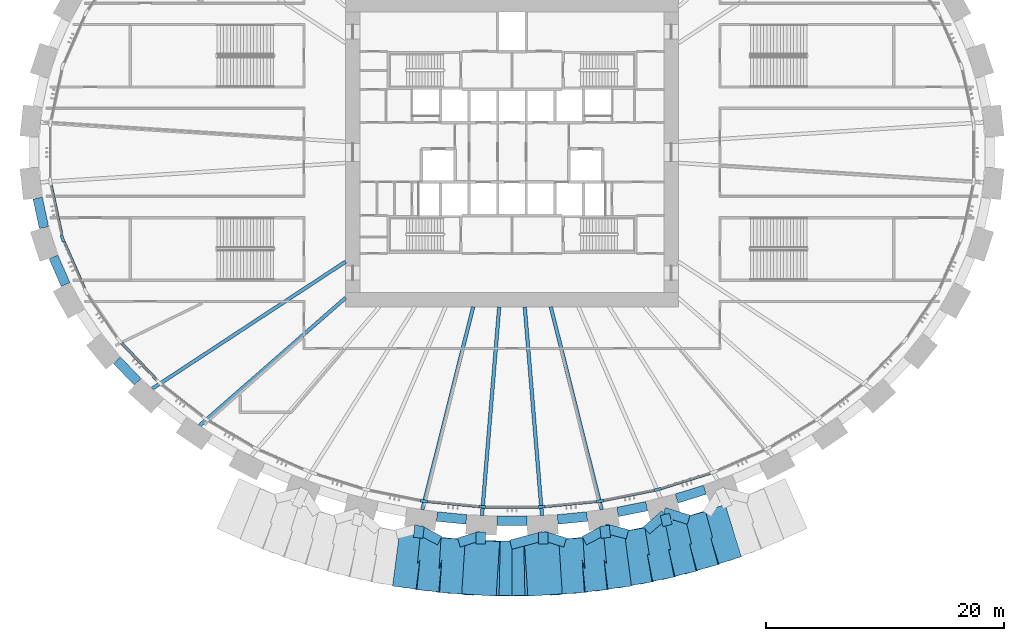
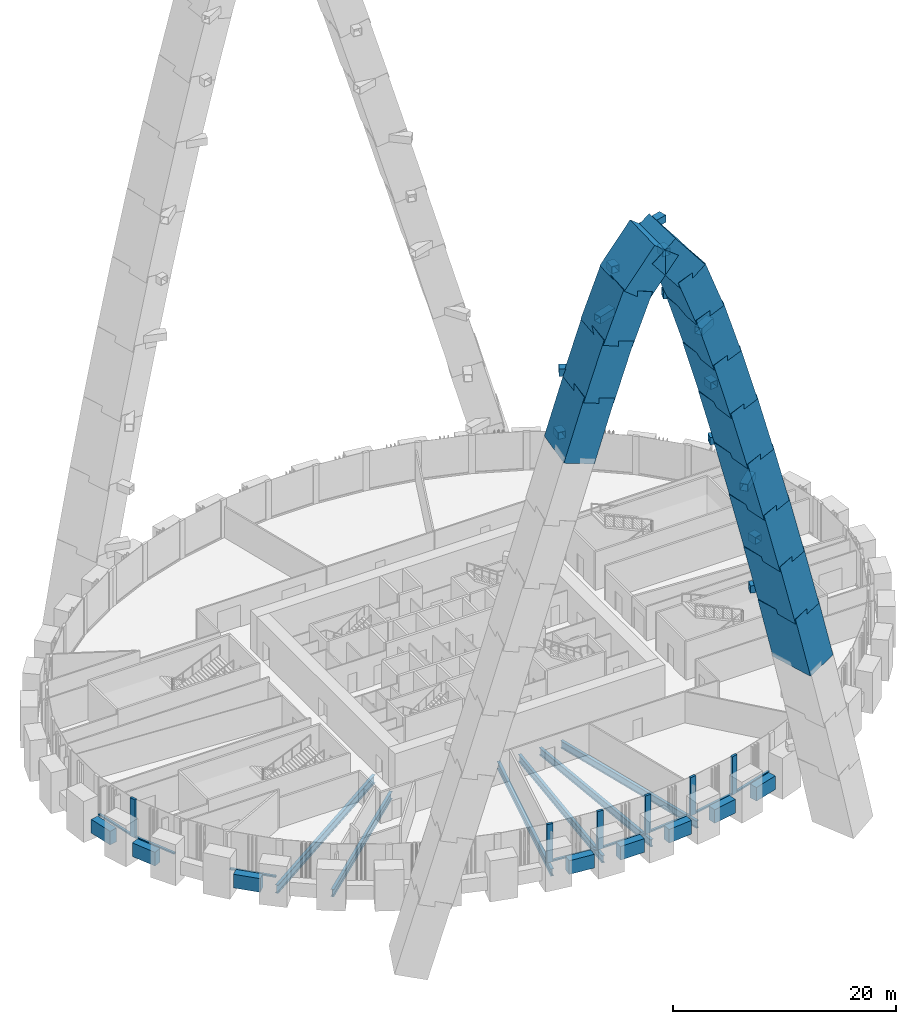
# One storey, part 2 of 23: 40 members, 14 beams, 2 elements without a shape of their own.
"""IFC4 building model written with IfcOpenShell, lengths in metres."""

from ifc_helpers import new_model, si_unit, direction, frame, origin, origin_2d, place, context, subcontext, project, spatial, rectangle, hollow_rectangle, i_section, extrude, source, transform, mapped, material, material_profile, profile_set, type_object, element, aggregate, save


model = new_model("IFC4")

# Units and contexts
model_context = context("Model", 3, precision=1e-05, world=origin(), true_north=direction((0.0, 1.0)))
body_context = subcontext(model_context, "Body", "Model", "MODEL_VIEW")
ifc_project = project(units=[si_unit("LENGTHUNIT", "METRE"), si_unit("AREAUNIT", "SQUARE_METRE"), si_unit("VOLUMEUNIT", "CUBIC_METRE"), si_unit("PLANEANGLEUNIT", "RADIAN"), si_unit("MASSUNIT", "GRAM", prefix="KILO")], contexts=[model_context])

# Site, building, storey
site_placement = place(None, origin())
site = spatial("IfcSite", under=ifc_project, at=site_placement, CompositionType="ELEMENT")
building_placement = place(site_placement, origin())
building = spatial("IfcBuilding", under=site, at=building_placement, Name="Embergate Tower", CompositionType="ELEMENT")
storey_placement = place(building_placement, frame((0.0, 0.0, 29.0)))
storey = spatial("IfcBuildingStorey", under=building, at=storey_placement, Name="L03", CompositionType="ELEMENT", Elevation=29.0)

# Beams
ifc_material_1 = material(Name="Concrete C70", Category="concrete")
ifc_material_profile_1 = material_profile(ifc_material_1, rectangle(XDim=0.800048828125, YDim=1.5, at=origin_2d()), Name="RC 800x1500")
ifc_profile_set_1 = profile_set([ifc_material_profile_1], Name="Concrete C70")
beam_type_1 = type_object("IfcBeamType", Name="Spandrel beam RC 800x1500 C70", PredefinedType="BEAM", material=ifc_profile_set_1)
shared_shape_1 = source(origin(), body_context, "Body", "SweptSolid", [
    extrude(rectangle(XDim=0.800048828125, YDim=1.5, at=origin_2d()), origin(), (0.0, 0.0, 1.0), 2.53369140625),
])
beam_1_placement = place(storey_placement, frame((-39.905029296875, -3.85302734375, 0.0), z_axis=(0.210344985956, -0.977627222863, 0.0), x_axis=(0.977627222863, 0.210344985956, 0.0)))
element("IfcBeam", 1, at=beam_1_placement, inside=storey, type_object=beam_type_1, Name="SPN-L03-22", PredefinedType="BEAM", context=body_context, shape_type="MappedRepresentation", body=[
    mapped(shared_shape_1, transform((0.0, 0.0, 0.0))),
])
shared_shape_2 = source(origin(), body_context, "Body", "SweptSolid", [
    extrude(rectangle(XDim=0.800048828125, YDim=1.5, at=origin_2d()), origin(), (0.0, 0.0, 1.0), 2.530029296875),
])
beam_2_placement = place(storey_placement, frame((-38.572998046875, -8.803955078125, 0.0), z_axis=(0.401603284719, -0.91581373745, 0.0), x_axis=(0.91581373745, 0.401603284719, 0.0)))
element("IfcBeam", 2, at=beam_2_placement, inside=storey, type_object=beam_type_1, Name="SPN-L03-23", PredefinedType="BEAM", context=body_context, shape_type="MappedRepresentation", body=[
    mapped(shared_shape_2, transform((0.0, 0.0, 0.0))),
])
shared_shape_3 = source(origin(), body_context, "Body", "SweptSolid", [
    extrude(rectangle(XDim=0.800048828125, YDim=1.5, at=origin_2d()), origin(), (0.0, 0.0, 1.0), 2.513671875),
])
beam_3_placement = place(storey_placement, frame((-33.23095703125, -17.492919921875, 0.0), z_axis=(0.690154595943, -0.723661960931, 0.0), x_axis=(0.723661960931, 0.690154595943, 0.0)))
element("IfcBeam", 3, at=beam_3_placement, inside=storey, type_object=beam_type_1, Name="SPN-L03-25", PredefinedType="BEAM", context=body_context, shape_type="MappedRepresentation", body=[
    mapped(shared_shape_3, transform((0.0, 0.0, 0.0))),
])
shared_shape_4 = source(origin(), body_context, "Body", "SweptSolid", [
    extrude(rectangle(XDim=0.800048828125, YDim=1.5, at=origin_2d()), origin(), (0.0, 0.0, 1.0), 2.49169921875),
])
beam_4_placement = place(storey_placement, frame((13.85009765625, -29.125, 0.0), z_axis=(0.954758519321, 0.297382194801, 0.0), x_axis=(-0.297382194801, 0.954758519321, 0.0)))
element("IfcBeam", 4, at=beam_4_placement, inside=storey, type_object=beam_type_1, Name="SPN-L03-35", PredefinedType="BEAM", context=body_context, shape_type="MappedRepresentation", body=[
    mapped(shared_shape_4, transform((0.0, 0.0, 0.0))),
])
shared_shape_5 = source(origin(), body_context, "Body", "SweptSolid", [
    extrude(rectangle(XDim=0.800048828125, YDim=1.5, at=origin_2d()), origin(), (0.0, 0.0, 1.0), 2.49072265625),
])
beam_5_placement = place(storey_placement, frame((8.888916015625, -30.257080078125, 0.0), z_axis=(0.980535407691, 0.196342339459, 0.0), x_axis=(-0.196342339459, 0.980535407691, 0.0)))
element("IfcBeam", 5, at=beam_5_placement, inside=storey, type_object=beam_type_1, Name="SPN-L03-34", PredefinedType="BEAM", context=body_context, shape_type="MappedRepresentation", body=[
    mapped(shared_shape_5, transform((0.0, 0.0, 0.0))),
])
shared_shape_6 = source(origin(), body_context, "Body", "SweptSolid", [
    extrude(rectangle(XDim=0.800048828125, YDim=1.5, at=origin_2d()), origin(), (0.0, 0.0, 1.0), 2.489013671875),
])
for number, where, z_axis, x_axis, name in (
    (6, (-6.318115234375, -30.639892578125, 0.0), (0.995177967328, -0.098085744858, 0.0), (0.098085744858, 0.995177967328, 0.0), "SPN-L03-31"),
    (7, (3.841064453125, -30.884033203125, 0.0), (0.995177967328, 0.098085744858, 0.0), (-0.098085744858, 0.995177967328, 0.0), "SPN-L03-33"),
):
    element("IfcBeam", number, at=place(storey_placement, frame(where, z_axis=z_axis, x_axis=x_axis)), inside=storey, type_object=beam_type_1, Name=name, PredefinedType="BEAM", context=body_context, shape_type="MappedRepresentation", body=[
        mapped(shared_shape_6, transform((0.0, 0.0, 0.0))),
    ])
shared_shape_7 = source(origin(), body_context, "Body", "SweptSolid", [
    extrude(rectangle(XDim=0.800048828125, YDim=1.5, at=origin_2d()), origin(), (0.0, 0.0, 1.0), 2.48779296875),
])
beam_6_placement = place(storey_placement, frame((-1.243896484375, -31.010986328125, 0.0), z_axis=(1.0, 0.0, 0.0), x_axis=(0.0, 1.0, 0.0)))
element("IfcBeam", 8, at=beam_6_placement, inside=storey, type_object=beam_type_1, Name="SPN-L03-32", PredefinedType="BEAM", context=body_context, shape_type="MappedRepresentation", body=[
    mapped(shared_shape_7, transform((0.0, 0.0, 0.0))),
])
ifc_material_2 = material(Name="Steel Q355B", Category="steel")
ifc_material_profile_2 = material_profile(ifc_material_2, i_section(OverallWidth=0.300048828125, OverallDepth=0.89990234375, WebThickness=0.01611328125, FlangeThickness=0.028076171875, FilletRadius=0.028076171875, at=origin_2d()), Name="HN 900x300x16x28")
ifc_profile_set_2 = profile_set([ifc_material_profile_2], Name="Steel Q355 grade B")
beam_type_2 = type_object("IfcBeamType", Name="Radial girder HN 900x300x16x28", PredefinedType="BEAM", material=ifc_profile_set_2)
shared_shape_8 = source(origin(), body_context, "Body", "SweptSolid", [
    extrude(i_section(OverallWidth=0.300048828125, OverallDepth=0.89990234375, WebThickness=0.01611328125, FlangeThickness=0.028076171875, FilletRadius=0.028076171875, at=origin_2d()), origin(), (0.0, 0.0, 1.0), 19.456787109375),
])
beam_7_placement = place(storey_placement, frame((-30.260986328125, -19.883056640625, -0.75), z_axis=(0.835745789204, 0.549116541208, 0.0), x_axis=(-0.549116541208, 0.835745789204, 0.0)))
element("IfcBeam", 9, at=beam_7_placement, inside=storey, type_object=beam_type_2, Name="GIR-L03-26", PredefinedType="BEAM", context=body_context, shape_type="MappedRepresentation", body=[
    mapped(shared_shape_8, transform((0.0, 0.0, 0.0))),
])
ifc_material_profile_3 = material_profile(ifc_material_2, i_section(OverallWidth=0.300048828125, OverallDepth=0.800048828125, WebThickness=0.013916015625, FlangeThickness=0.02587890625, FilletRadius=0.028076171875, at=origin_2d()), Name="HN 800x300x14x26")
ifc_profile_set_3 = profile_set([ifc_material_profile_3], Name="Steel Q355 grade B")
beam_type_3 = type_object("IfcBeamType", Name="Radial girder HN 800x300x14x26", PredefinedType="BEAM", material=ifc_profile_set_3)
shared_shape_9 = source(origin(), body_context, "Body", "SweptSolid", [
    extrude(i_section(OverallWidth=0.300048828125, OverallDepth=0.800048828125, WebThickness=0.013916015625, FlangeThickness=0.02587890625, FilletRadius=0.028076171875, at=origin_2d()), origin(), (0.0, 0.0, 1.0), 16.318359375),
])
beam_8_placement = place(storey_placement, frame((-26.283935546875, -22.986083984375, -0.699951171875), z_axis=(0.752766655838, 0.658287446226, 0.0), x_axis=(-0.658287446226, 0.752766655838, 0.0)))
element("IfcBeam", 10, at=beam_8_placement, inside=storey, type_object=beam_type_3, Name="GIR-L03-27", PredefinedType="BEAM", context=body_context, shape_type="MappedRepresentation", body=[
    mapped(shared_shape_9, transform((0.0, 0.0, 0.0))),
])
shared_shape_10 = source(origin(), body_context, "Body", "SweptSolid", [
    extrude(i_section(OverallWidth=0.300048828125, OverallDepth=0.800048828125, WebThickness=0.013916015625, FlangeThickness=0.02587890625, FilletRadius=0.028076171875, at=origin_2d()), origin(), (0.0, 0.0, 1.0), 17.58740234375),
])
for number, where, z_axis, x_axis, name in (
    (11, (-7.544921875, -30.05810546875, -0.699951171875), (0.243469663702, 0.969908512622, 0.0), (-0.969908512622, 0.243469663702, 0.0), "GIR-L03-31"),
    (12, (7.544921875, -30.05810546875, -0.699951171875), (-0.243469663702, 0.969908512622, 0.0), (-0.969908512622, -0.243469663702, 0.0), "GIR-L03-34"),
):
    element("IfcBeam", number, at=place(storey_placement, frame(where, z_axis=z_axis, x_axis=x_axis)), inside=storey, type_object=beam_type_3, Name=name, PredefinedType="BEAM", context=body_context, shape_type="MappedRepresentation", body=[
        mapped(shared_shape_10, transform((0.0, 0.0, 0.0))),
    ])
shared_shape_11 = source(origin(), body_context, "Body", "SweptSolid", [
    extrude(i_section(OverallWidth=0.300048828125, OverallDepth=0.800048828125, WebThickness=0.013916015625, FlangeThickness=0.02587890625, FilletRadius=0.028076171875, at=origin_2d()), origin(), (0.0, 0.0, 1.0), 17.61083984375),
])
for number, where, z_axis, x_axis, name in (
    (13, (-2.52294921875, -30.551025390625, -0.699951171875), (0.082277913647, 0.996609424462, 0.0), (-0.996609424462, 0.082277913647, 0.0), "GIR-L03-32"),
    (14, (2.52294921875, -30.551025390625, -0.699951171875), (-0.082277913647, 0.996609424462, 0.0), (-0.996609424462, -0.082277913647, 0.0), "GIR-L03-33"),
):
    element("IfcBeam", number, at=place(storey_placement, frame(where, z_axis=z_axis, x_axis=x_axis)), inside=storey, type_object=beam_type_3, Name=name, PredefinedType="BEAM", context=body_context, shape_type="MappedRepresentation", body=[
        mapped(shared_shape_11, transform((0.0, 0.0, 0.0))),
    ])

# Members
ifc_material_profile_4 = material_profile(ifc_material_1, rectangle(XDim=4.60009765625, YDim=3.10009765625, at=origin_2d()), Name="RC 4600x3100")
ifc_profile_set_4 = profile_set([ifc_material_profile_4], Name="Concrete C70")
member_type_1 = type_object("IfcMemberType", Name="Arch ring masonry RC 4600x3100", PredefinedType="MEMBER", material=ifc_profile_set_4)
shared_shape_12 = source(origin(), body_context, "Body", "SweptSolid", [
    extrude(rectangle(XDim=4.60009765625, YDim=3.10009765625, at=origin_2d()), origin(), (0.0, 0.0, 1.0), 7.531982421875),
])
member_1_placement = place(storey_placement, frame((15.284912109375, -32.866943359375, 23.02099609375), z_axis=(0.253345446882, 0.078992176824, -0.964145383511), x_axis=(-0.297662911935, 0.954671038033, 0.0)))
element("IfcMember", 15, at=member_1_placement, inside=storey, type_object=member_type_1, Name="ARC-S-RG20", PredefinedType="MEMBER", context=body_context, shape_type="MappedRepresentation", body=[
    mapped(shared_shape_12, transform((0.0, 0.0, 0.0))),
])
shared_shape_13 = source(origin(), body_context, "Body", "SweptSolid", [
    extrude(rectangle(XDim=4.60009765625, YDim=3.10009765625, at=origin_2d()), origin(), (0.0, 0.0, 1.0), 7.528564453125),
])
member_2_placement = place(storey_placement, frame((13.5009765625, -33.35107421875, 29.698974609375), z_axis=(0.257288041621, 0.070272647617, -0.963776228507), x_axis=(-0.263477469912, 0.964665549737, 0.0)))
element("IfcMember", 16, at=member_2_placement, inside=storey, type_object=member_type_1, Name="ARC-S-RG19", PredefinedType="MEMBER", context=body_context, shape_type="MappedRepresentation", body=[
    mapped(shared_shape_13, transform((0.0, 0.0, 0.0))),
])
shared_shape_14 = source(origin(), body_context, "Body", "SweptSolid", [
    extrude(rectangle(XDim=4.60009765625, YDim=3.10009765625, at=origin_2d()), origin(), (0.0, 0.0, 1.0), 7.391845703125),
])
member_3_placement = place(storey_placement, frame((11.722900390625, -33.76806640625, 36.240966796875), z_axis=(0.261521076878, 0.061829686274, -0.963215352994), x_axis=(-0.230080480463, 0.973171604862, 0.0)))
element("IfcMember", 17, at=member_3_placement, inside=storey, type_object=member_type_1, Name="ARC-S-RG18", PredefinedType="MEMBER", context=body_context, shape_type="MappedRepresentation", body=[
    mapped(shared_shape_14, transform((0.0, 0.0, 0.0))),
])
shared_shape_15 = source(origin(), body_context, "Body", "SweptSolid", [
    extrude(rectangle(XDim=4.60009765625, YDim=3.10009765625, at=origin_2d()), origin(), (0.0, 0.0, 1.0), 7.336181640625),
])
member_4_placement = place(storey_placement, frame((9.925048828125, -34.125, 42.722900390625), z_axis=(0.266627940432, 0.053445390955, -0.962316544369), x_axis=(-0.196539734428, 0.98049586067, 0.0)))
element("IfcMember", 18, at=member_4_placement, inside=storey, type_object=member_type_1, Name="ARC-S-RG17", PredefinedType="MEMBER", context=body_context, shape_type="MappedRepresentation", body=[
    mapped(shared_shape_15, transform((0.0, 0.0, 0.0))),
])
shared_shape_16 = source(origin(), body_context, "Body", "SweptSolid", [
    extrude(rectangle(XDim=4.60009765625, YDim=3.10009765625, at=origin_2d()), origin(), (0.0, 0.0, 1.0), 7.232177734375),
])
member_5_placement = place(storey_placement, frame((8.110107421875, -34.424072265625, 49.094970703125), z_axis=(0.273335102897, 0.045505214117, -0.960841920928), x_axis=(-0.164221184811, 0.986423541112, 0.0)))
element("IfcMember", 19, at=member_5_placement, inside=storey, type_object=member_type_1, Name="ARC-S-RG16", PredefinedType="MEMBER", context=body_context, shape_type="MappedRepresentation", body=[
    mapped(shared_shape_16, transform((0.0, 0.0, 0.0))),
])
shared_shape_17 = source(origin(), body_context, "Body", "SweptSolid", [
    extrude(rectangle(XDim=4.60009765625, YDim=3.10009765625, at=origin_2d()), origin(), (0.0, 0.0, 1.0), 6.9716796875),
])
for number, where, z_axis, x_axis, name in (
    (20, (-8.277099609375, -34.39892578125, 48.52001953125), (0.28385969272, -0.037294667252, 0.958140272947), (0.130264669149, 0.99147925645, 0.0), "ARC-S-RG08"),
    (21, (6.298095703125, -34.658935546875, 55.199951171875), (0.28385969272, 0.037294667252, -0.958140272947), (-0.130264669149, 0.99147925645, 0.0), "ARC-S-RG15"),
):
    element("IfcMember", number, at=place(storey_placement, frame(where, z_axis=z_axis, x_axis=x_axis)), inside=storey, type_object=member_type_1, Name=name, PredefinedType="MEMBER", context=body_context, shape_type="MappedRepresentation", body=[
        mapped(shared_shape_17, transform((0.0, 0.0, 0.0))),
    ])
shared_shape_18 = source(origin(), body_context, "Body", "SweptSolid", [
    extrude(rectangle(XDim=4.60009765625, YDim=3.10009765625, at=origin_2d()), origin(), (0.0, 0.0, 1.0), 6.59423828125),
])
for number, where, z_axis, x_axis, name in (
    (22, (-6.47412109375, -34.638916015625, 54.626953125), (0.303485457615, -0.02987834138, 0.952367503505), (0.097976975258, 0.995188681768, 0.0), "ARC-S-RG09"),
    (23, (4.472900390625, -34.8359375, 60.906982421875), (0.303485457615, 0.02987834138, -0.952367503505), (-0.097976975258, 0.995188681768, 0.0), "ARC-S-RG14"),
):
    element("IfcMember", number, at=place(storey_placement, frame(where, z_axis=z_axis, x_axis=x_axis)), inside=storey, type_object=member_type_1, Name=name, PredefinedType="MEMBER", context=body_context, shape_type="MappedRepresentation", body=[
        mapped(shared_shape_18, transform((0.0, 0.0, 0.0))),
    ])
shared_shape_19 = source(origin(), body_context, "Body", "SweptSolid", [
    extrude(rectangle(XDim=4.60009765625, YDim=3.10009765625, at=origin_2d()), origin(), (0.0, 0.0, 1.0), 5.80322265625),
])
for number, where, z_axis, x_axis, name in (
    (24, (-4.6689453125, -34.820068359375, 60.340087890625), (0.350814784328, -0.022885626895, 0.936165175158), (0.065097269965, 0.997878923238, 0.0), "ARC-S-RG10"),
    (25, (2.633056640625, -34.952880859375, 65.77294921875), (0.350814784328, 0.022885626895, -0.936165175158), (-0.065097269965, 0.997878923238, 0.0), "ARC-S-RG13"),
):
    element("IfcMember", number, at=place(storey_placement, frame(where, z_axis=z_axis, x_axis=x_axis)), inside=storey, type_object=member_type_1, Name=name, PredefinedType="MEMBER", context=body_context, shape_type="MappedRepresentation", body=[
        mapped(shared_shape_19, transform((0.0, 0.0, 0.0))),
    ])
shared_shape_20 = source(origin(), body_context, "Body", "SweptSolid", [
    extrude(rectangle(XDim=4.60009765625, YDim=3.10009765625, at=origin_2d()), origin(), (0.0, 0.0, 1.0), 5.05029296875),
])
for number, where, z_axis, x_axis, name in (
    (26, (-2.923095703125, -34.94189453125, 65.256103515625), (0.615439811981, -0.013487370006, 0.788068479689), (0.021909749963, 0.999759952617, 0.0), "ARC-S-RG11"),
    (27, (-0.18505859375, -35.010009765625, 69.236083984375), (0.615439811981, 0.013487370006, -0.788068479689), (-0.021909749963, 0.999759952617, 0.0), "ARC-S-RG12"),
):
    element("IfcMember", number, at=place(storey_placement, frame(where, z_axis=z_axis, x_axis=x_axis)), inside=storey, type_object=member_type_1, Name=name, PredefinedType="MEMBER", context=body_context, shape_type="MappedRepresentation", body=[
        mapped(shared_shape_20, transform((0.0, 0.0, 0.0))),
    ])
ifc_material_3 = material(Name="Steel Q355D", Category="steel")
ifc_material_profile_5 = material_profile(ifc_material_3, hollow_rectangle(XDim=0.800048828125, YDim=0.800048828125, WallThickness=0.0400390625, at=origin_2d()), Name="BOX 800x800x40")
ifc_profile_set_5 = profile_set([ifc_material_profile_5], Name="Steel Q355 grade D")
member_type_2 = type_object("IfcMemberType", Name="Arch ring tie BOX 800x800x40", PredefinedType="STRUT", material=ifc_profile_set_5)
shared_shape_21 = source(origin(), body_context, "Body", "SweptSolid", [
    extrude(hollow_rectangle(XDim=0.800048828125, YDim=0.800048828125, WallThickness=0.0400390625, at=origin_2d()), origin(), (0.0, 0.0, 1.0), 2.180419921875),
])
member_6_placement = place(storey_placement, frame((12.781982421875, -30.27001953125, 23.60009765625), z_axis=(0.956653537909, -0.291228447109, 0.0), x_axis=(0.291228447109, 0.956653537909, 0.0)))
element("IfcMember", 28, at=member_6_placement, inside=storey, type_object=member_type_2, Name="ARC-S-AT20", PredefinedType="STRUT", context=body_context, shape_type="MappedRepresentation", body=[
    mapped(shared_shape_21, transform((0.0, 0.0, 0.0))),
])
shared_shape_22 = source(origin(), body_context, "Body", "SweptSolid", [
    extrude(hollow_rectangle(XDim=0.800048828125, YDim=0.800048828125, WallThickness=0.0400390625, at=origin_2d()), origin(), (0.0, 0.0, 1.0), 0.9560546875),
])
member_7_placement = place(storey_placement, frame((12.864013671875, -30.4619140625, 29.409912109375), z_axis=(0.231102646574, -0.972929373976, 0.0), x_axis=(0.972929373976, 0.231102646574, 0.0)))
element("IfcMember", 29, at=member_7_placement, inside=storey, type_object=member_type_2, Name="ARC-S-AT19", PredefinedType="STRUT", context=body_context, shape_type="MappedRepresentation", body=[
    mapped(shared_shape_22, transform((0.0, 0.0, 0.0))),
])
shared_shape_23 = source(origin(), body_context, "Body", "SweptSolid", [
    extrude(hollow_rectangle(XDim=0.800048828125, YDim=0.800048828125, WallThickness=0.0400390625, at=origin_2d()), origin(), (0.0, 0.0, 1.0), 2.059326171875),
])
member_8_placement = place(storey_placement, frame((12.864013671875, -30.4619140625, 36.0), z_axis=(-0.755528684632, -0.655115567437, 0.0), x_axis=(0.655115567437, -0.755528684632, 0.0)))
element("IfcMember", 30, at=member_8_placement, inside=storey, type_object=member_type_2, Name="ARC-S-AT18", PredefinedType="STRUT", context=body_context, shape_type="MappedRepresentation", body=[
    mapped(shared_shape_23, transform((0.0, 0.0, 0.0))),
])
shared_shape_24 = source(origin(), body_context, "Body", "SweptSolid", [
    extrude(hollow_rectangle(XDim=0.800048828125, YDim=0.800048828125, WallThickness=0.0400390625, at=origin_2d()), origin(), (0.0, 0.0, 1.0), 1.968994140625),
])
member_9_placement = place(storey_placement, frame((7.804931640625, -31.636962890625, 42.43408203125), z_axis=(0.967998013757, -0.25095785575, 0.0), x_axis=(0.25095785575, 0.967998013757, 0.0)))
element("IfcMember", 31, at=member_9_placement, inside=storey, type_object=member_type_2, Name="ARC-S-AT17", PredefinedType="STRUT", context=body_context, shape_type="MappedRepresentation", body=[
    mapped(shared_shape_24, transform((0.0, 0.0, 0.0))),
])
shared_shape_25 = source(origin(), body_context, "Body", "SweptSolid", [
    extrude(hollow_rectangle(XDim=0.800048828125, YDim=0.800048828125, WallThickness=0.0400390625, at=origin_2d()), origin(), (0.0, 0.0, 1.0), 1.019775390625),
])
for number, where, z_axis, x_axis, name in (
    (32, (-7.780029296875, -31.4189453125, 48.806884765625), (-0.115632696076, -0.993292041445, 0.0), (0.993292041445, -0.115632696076, 0.0), "ARC-S-AT08"),
    (33, (7.780029296875, -31.4189453125, 48.806884765625), (0.115632696076, -0.993292041445, 0.0), (0.993292041445, 0.115632696076, 0.0), "ARC-S-AT16"),
):
    element("IfcMember", number, at=place(storey_placement, frame(where, z_axis=z_axis, x_axis=x_axis)), inside=storey, type_object=member_type_2, Name=name, PredefinedType="STRUT", context=body_context, shape_type="MappedRepresentation", body=[
        mapped(shared_shape_25, transform((0.0, 0.0, 0.0))),
    ])
shared_shape_26 = source(origin(), body_context, "Body", "SweptSolid", [
    extrude(hollow_rectangle(XDim=0.800048828125, YDim=0.800048828125, WallThickness=0.0400390625, at=origin_2d()), origin(), (0.0, 0.0, 1.0), 1.97412109375),
])
for number, where, z_axis, x_axis, name in (
    (34, (-7.83203125, -31.742919921875, 55.5), (0.882889843968, -0.469580156541, 0.0), (0.469580156541, 0.882889843968, 0.0), "ARC-S-AT09"),
    (35, (7.83203125, -31.742919921875, 55.5), (-0.882889843968, -0.469580156541, 0.0), (0.469580156541, -0.882889843968, 0.0), "ARC-S-AT15"),
):
    element("IfcMember", number, at=place(storey_placement, frame(where, z_axis=z_axis, x_axis=x_axis)), inside=storey, type_object=member_type_2, Name=name, PredefinedType="STRUT", context=body_context, shape_type="MappedRepresentation", body=[
        mapped(shared_shape_26, transform((0.0, 0.0, 0.0))),
    ])
shared_shape_27 = source(origin(), body_context, "Body", "SweptSolid", [
    extrude(hollow_rectangle(XDim=0.800048828125, YDim=0.800048828125, WallThickness=0.0400390625, at=origin_2d()), origin(), (0.0, 0.0, 1.0), 1.934326171875),
])
for number, where, z_axis, x_axis, name in (
    (36, (-2.618896484375, -32.2548828125, 60.62109375), (-0.954923580566, -0.296851739558, 0.0), (0.296851739558, -0.954923580566, 0.0), "ARC-S-AT10"),
    (37, (2.618896484375, -32.2548828125, 60.62109375), (0.954923580566, -0.296851739558, 0.0), (0.296851739558, 0.954923580566, 0.0), "ARC-S-AT14"),
):
    element("IfcMember", number, at=place(storey_placement, frame(where, z_axis=z_axis, x_axis=x_axis)), inside=storey, type_object=member_type_2, Name=name, PredefinedType="STRUT", context=body_context, shape_type="MappedRepresentation", body=[
        mapped(shared_shape_27, transform((0.0, 0.0, 0.0))),
    ])
shared_shape_28 = source(origin(), body_context, "Body", "SweptSolid", [
    extrude(hollow_rectangle(XDim=0.800048828125, YDim=0.800048828125, WallThickness=0.0400390625, at=origin_2d()), origin(), (0.0, 0.0, 1.0), 1.01953125),
])
for number, where, z_axis, x_axis, name in (
    (38, (-2.611083984375, -31.928955078125, 65.491943359375), (-0.028258954252, -0.999600636006, 0.0), (0.999600636006, -0.028258954252, 0.0), "ARC-S-AT11"),
    (39, (2.611083984375, -31.928955078125, 65.491943359375), (0.028258954252, -0.999600636006, 0.0), (0.999600636006, 0.028258954252, 0.0), "ARC-S-AT13"),
):
    element("IfcMember", number, at=place(storey_placement, frame(where, z_axis=z_axis, x_axis=x_axis)), inside=storey, type_object=member_type_2, Name=name, PredefinedType="STRUT", context=body_context, shape_type="MappedRepresentation", body=[
        mapped(shared_shape_28, transform((0.0, 0.0, 0.0))),
    ])
shared_shape_29 = source(origin(), body_context, "Body", "SweptSolid", [
    extrude(hollow_rectangle(XDim=0.800048828125, YDim=0.800048828125, WallThickness=0.0400390625, at=origin_2d()), origin(), (0.0, 0.0, 1.0), 2.813232421875),
])
member_10_placement = place(storey_placement, frame((2.62109375, -32.285888671875, 69.0), z_axis=(-0.966490846183, -0.256701079555, 0.0), x_axis=(0.256701079555, -0.966490846183, 0.0)))
element("IfcMember", 40, at=member_10_placement, inside=storey, type_object=member_type_2, Name="ARC-S-AT12", PredefinedType="STRUT", context=body_context, shape_type="MappedRepresentation", body=[
    mapped(shared_shape_29, transform((0.0, 0.0, 0.0))),
])

# Curtain wall, member
ifc_material_4 = material(Name="Aluminium and glass", Category="aluminium")
curtain_wall_type = type_object("IfcCurtainWallType", Name="Podium base glazing", PredefinedType="NOTDEFINED", material=ifc_material_4)
curtain_wall_1_placement = place(storey_placement, origin())
curtain_wall_1 = element("IfcCurtainWall", 41, at=curtain_wall_1_placement, inside=storey, type_object=curtain_wall_type, Name="Podium base glazing run 2", ObjectType="PODIUM BASE GLAZING", PredefinedType="USERDEFINED")
ifc_material_5 = material(Name="Aluminium, thermally broken", Category="aluminium")
ifc_material_profile_6 = material_profile(ifc_material_5, rectangle(XDim=0.239990234375, YDim=0.60009765625, at=origin_2d()), Name="AL 600x240")
ifc_profile_set_6 = profile_set([ifc_material_profile_6], Name="Aluminium, thermally broken")
member_type_3 = type_object("IfcMemberType", Name="Base mullion", PredefinedType="MULLION", material=ifc_profile_set_6)
shared_shape_30 = source(origin(), body_context, "Body", "SweptSolid", [
    extrude(rectangle(XDim=0.239990234375, YDim=0.60009765625, at=origin_2d()), origin(), (0.0, 0.0, 1.0), 4.199951171875),
])
member_11_placement = place(storey_placement, frame((-37.810546875, -7.24072265625, 0.0), z_axis=(0.0, 0.0, 1.0), x_axis=(0.95149994581, 0.307648912111, 0.0)))
member_11 = element("IfcMember", 42, at=member_11_placement, type_object=member_type_3, Name="CW mullion 9", PredefinedType="MULLION", context=body_context, shape_type="MappedRepresentation", body=[
    mapped(shared_shape_30, transform((0.0, 0.0, 0.0))),
])

# Curtain wall, members
curtain_wall_2_placement = place(storey_placement, origin())
curtain_wall_2 = element("IfcCurtainWall", 43, at=curtain_wall_2_placement, inside=storey, type_object=curtain_wall_type, Name="Podium base glazing run 3", ObjectType="PODIUM BASE GLAZING", PredefinedType="USERDEFINED")
member_12_placement = place(storey_placement, frame((-7.407470703125, -29.337890625, 0.0), z_axis=(0.0, 0.0, 1.0), x_axis=(0.147415835341, 0.989074603602, 0.0)))
member_12 = element("IfcMember", 44, at=member_12_placement, type_object=member_type_3, Name="CW mullion 3", PredefinedType="MULLION", context=body_context, shape_type="MappedRepresentation", body=[
    mapped(shared_shape_30, transform((0.0, 0.0, 0.0))),
])
member_13_placement = place(storey_placement, frame((-2.477294921875, -29.822509765625, 0.0), z_axis=(0.0, 0.0, 1.0), x_axis=(0.048971796621, 0.998800161762, 0.0)))
member_13 = element("IfcMember", 45, at=member_13_placement, type_object=member_type_3, Name="CW mullion 4", PredefinedType="MULLION", context=body_context, shape_type="MappedRepresentation", body=[
    mapped(shared_shape_30, transform((0.0, 0.0, 0.0))),
])
member_14_placement = place(storey_placement, frame((2.477294921875, -29.822509765625, 0.0), z_axis=(0.0, 0.0, 1.0), x_axis=(-0.048971796621, 0.998800161762, 0.0)))
member_14 = element("IfcMember", 46, at=member_14_placement, type_object=member_type_3, Name="CW mullion 5", PredefinedType="MULLION", context=body_context, shape_type="MappedRepresentation", body=[
    mapped(shared_shape_30, transform((0.0, 0.0, 0.0))),
])
member_15_placement = place(storey_placement, frame((7.407470703125, -29.337890625, 0.0), z_axis=(0.0, 0.0, 1.0), x_axis=(-0.147415835341, 0.989074603602, 0.0)))
member_15 = element("IfcMember", 47, at=member_15_placement, type_object=member_type_3, Name="CW mullion 6", PredefinedType="MULLION", context=body_context, shape_type="MappedRepresentation", body=[
    mapped(shared_shape_30, transform((0.0, 0.0, 0.0))),
])
member_16_placement = place(storey_placement, frame((12.263427734375, -28.364013671875, 0.0), z_axis=(0.0, 0.0, 1.0), x_axis=(-0.247316954703, 0.968934633459, 0.0)))
member_16 = element("IfcMember", 48, at=member_16_placement, type_object=member_type_3, Name="CW mullion 7", PredefinedType="MULLION", context=body_context, shape_type="MappedRepresentation", body=[
    mapped(shared_shape_30, transform((0.0, 0.0, 0.0))),
])

# Member
ifc_material_profile_7 = material_profile(ifc_material_5, rectangle(XDim=0.239990234375, YDim=0.159912109375, at=origin_2d()), Name="AL 160x240")
ifc_profile_set_7 = profile_set([ifc_material_profile_7], Name="Aluminium, thermally broken")
member_type_4 = type_object("IfcMemberType", Name="Base transom", PredefinedType="USERDEFINED", material=ifc_profile_set_7)
shared_shape_31 = source(origin(), body_context, "Body", "SweptSolid", [
    extrude(rectangle(XDim=0.239990234375, YDim=0.159912109375, at=origin_2d()), origin(), (0.0, 0.0, 1.0), 4.30859375),
])
member_17_placement = place(storey_placement, frame((-37.690185546875, -7.515380859375, 0.080078125), z_axis=(0.401680670159, -0.915779798435, 0.0), x_axis=(0.915779798435, 0.401680670159, 0.0)))
member_17 = element("IfcMember", 49, at=member_17_placement, type_object=member_type_4, Name="CW transom 9.1", ObjectType="TRANSOM", PredefinedType="USERDEFINED", context=body_context, shape_type="MappedRepresentation", body=[
    mapped(shared_shape_31, transform((0.0, 0.0, 0.0))),
])

shared_shape_32 = source(origin(), body_context, "Body", "SweptSolid", [
    extrude(rectangle(XDim=0.239990234375, YDim=0.159912109375, at=origin_2d()), origin(), (0.0, 0.0, 1.0), 4.327392578125),
])
member_18_placement = place(storey_placement, frame((-32.866455078125, -16.02001953125, 0.080078125), z_axis=(0.690152300069, -0.723664150493, 0.0), x_axis=(0.723664150493, 0.690152300069, 0.0)))
member_18 = element("IfcMember", 50, at=member_18_placement, type_object=member_type_4, Name="CW transom 11.1", ObjectType="TRANSOM", PredefinedType="USERDEFINED", context=body_context, shape_type="MappedRepresentation", body=[
    mapped(shared_shape_32, transform((0.0, 0.0, 0.0))),
])

shared_shape_33 = source(origin(), body_context, "Body", "SweptSolid", [
    extrude(rectangle(XDim=0.239990234375, YDim=0.159912109375, at=origin_2d()), origin(), (0.0, 0.0, 1.0), 4.350341796875),
])
member_19_placement = place(storey_placement, frame((12.5498046875, -28.27490234375, 0.080078125), z_axis=(0.954760152923, 0.297376949999, 0.0), x_axis=(-0.297376949999, 0.954760152923, 0.0)))
member_19 = element("IfcMember", 51, at=member_19_placement, type_object=member_type_4, Name="CW transom 7.1", ObjectType="TRANSOM", PredefinedType="USERDEFINED", context=body_context, shape_type="MappedRepresentation", body=[
    mapped(shared_shape_33, transform((0.0, 0.0, 0.0))),
])

shared_shape_34 = source(origin(), body_context, "Body", "SweptSolid", [
    extrude(rectangle(XDim=0.239990234375, YDim=0.159912109375, at=origin_2d()), origin(), (0.0, 0.0, 1.0), 4.3525390625),
])
member_20_placement = place(storey_placement, frame((7.70166015625, -29.27880859375, 0.080078125), z_axis=(0.980483473703, 0.196601520328, 0.0), x_axis=(-0.196601520328, 0.980483473703, 0.0)))
member_20 = element("IfcMember", 52, at=member_20_placement, type_object=member_type_4, Name="CW transom 6.1", ObjectType="TRANSOM", PredefinedType="USERDEFINED", context=body_context, shape_type="MappedRepresentation", body=[
    mapped(shared_shape_34, transform((0.0, 0.0, 0.0))),
])

shared_shape_35 = source(origin(), body_context, "Body", "SweptSolid", [
    extrude(rectangle(XDim=0.239990234375, YDim=0.159912109375, at=origin_2d()), origin(), (0.0, 0.0, 1.0), 4.35400390625),
])
member_21_placement = place(storey_placement, frame((-7.10888671875, -29.3671875, 0.080078125), z_axis=(0.995201260808, -0.097849121034, 0.0), x_axis=(0.097849121034, 0.995201260808, 0.0)))
member_21 = element("IfcMember", 53, at=member_21_placement, type_object=member_type_4, Name="CW transom 3.1", ObjectType="TRANSOM", PredefinedType="USERDEFINED", context=body_context, shape_type="MappedRepresentation", body=[
    mapped(shared_shape_35, transform((0.0, 0.0, 0.0))),
])

member_22_placement = place(storey_placement, frame((2.77587890625, -29.793212890625, 0.080078125), z_axis=(0.995201260808, 0.097849121034, 0.0), x_axis=(-0.097849121034, 0.995201260808, 0.0)))
member_22 = element("IfcMember", 54, at=member_22_placement, type_object=member_type_4, Name="CW transom 5.1", ObjectType="TRANSOM", PredefinedType="USERDEFINED", context=body_context, shape_type="MappedRepresentation", body=[
    mapped(shared_shape_35, transform((0.0, 0.0, 0.0))),
])

shared_shape_36 = source(origin(), body_context, "Body", "SweptSolid", [
    extrude(rectangle(XDim=0.239990234375, YDim=0.159912109375, at=origin_2d()), origin(), (0.0, 0.0, 1.0), 4.3544921875),
])
member_23_placement = place(storey_placement, frame((-2.17724609375, -29.822509765625, 0.080078125), z_axis=(1.0, 0.0, 0.0), x_axis=(0.0, 1.0, 0.0)))
member_23 = element("IfcMember", 55, at=member_23_placement, type_object=member_type_4, Name="CW transom 4.1", ObjectType="TRANSOM", PredefinedType="USERDEFINED", context=body_context, shape_type="MappedRepresentation", body=[
    mapped(shared_shape_36, transform((0.0, 0.0, 0.0))),
])

aggregate(curtain_wall_2, [member_12, member_13, member_14, member_15, member_16, member_21, member_23, member_22, member_20, member_19])

shared_shape_37 = source(origin(), body_context, "Body", "SweptSolid", [
    extrude(rectangle(XDim=0.239990234375, YDim=0.159912109375, at=origin_2d()), origin(), (0.0, 0.0, 1.0), 4.30126953125),
])
member_24_placement = place(storey_placement, frame((-38.778564453125, -2.742431640625, 0.080078125), z_axis=(0.210350781837, -0.977625975811, 0.0), x_axis=(0.977625975811, 0.210350781837, 0.0)))
member_24 = element("IfcMember", 56, at=member_24_placement, type_object=member_type_4, Name="CW transom 8.1", ObjectType="TRANSOM", PredefinedType="USERDEFINED", context=body_context, shape_type="MappedRepresentation", body=[
    mapped(shared_shape_37, transform((0.0, 0.0, 0.0))),
])

aggregate(curtain_wall_1, [member_11, member_24, member_17, member_18])

save(model, "model.ifc")
